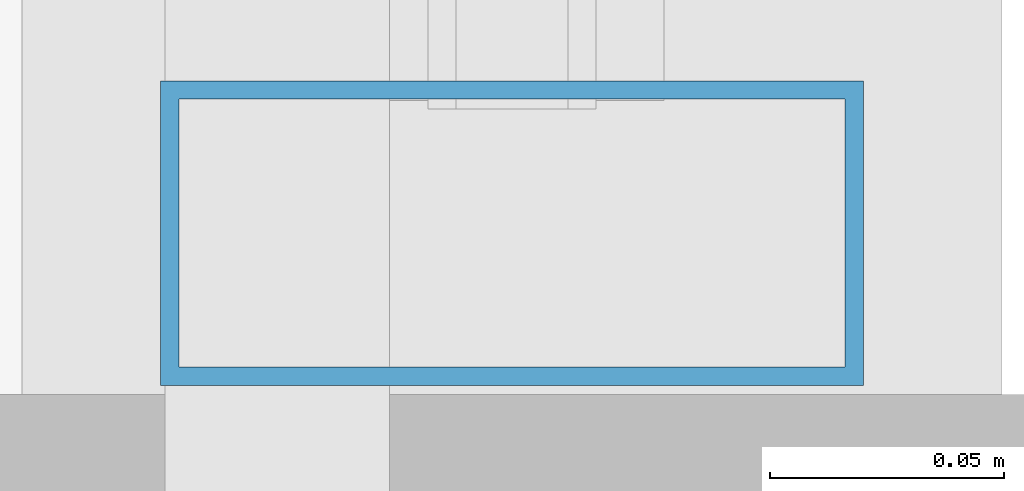
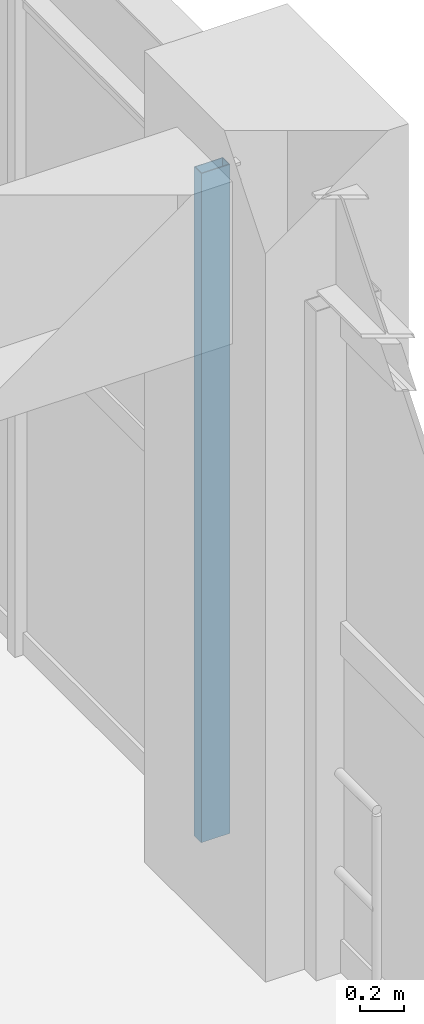
# One storey, part 23 of 80: 1 member, 1 element without a shape of its own.
"""IFC4 building model written with IfcOpenShell, lengths in metres."""

from ifc_helpers import new_model, si_unit, direction, frame, origin, origin_2d, place, context, subcontext, project, spatial, hollow_rectangle, extrude, material, layer, layer_set, material_profile, profile_set, type_object, element, aggregate, save


model = new_model("IFC4")

# Units and contexts
model_context = context("Model", 3, precision=1e-05, world=origin(), true_north=direction((0.0, 1.0)))
body_context = subcontext(model_context, "Body", "Model", "MODEL_VIEW")
ifc_project = project(units=[si_unit("LENGTHUNIT", "METRE"), si_unit("AREAUNIT", "SQUARE_METRE"), si_unit("VOLUMEUNIT", "CUBIC_METRE"), si_unit("PLANEANGLEUNIT", "RADIAN"), si_unit("MASSUNIT", "GRAM", prefix="KILO"), si_unit("POWERUNIT", "WATT"), si_unit("THERMODYNAMICTEMPERATUREUNIT", "KELVIN")], contexts=[model_context])

# Site, building, storey
site_placement = place(None, origin())
site = spatial("IfcSite", under=ifc_project, at=site_placement, CompositionType="ELEMENT")
building_placement = place(site_placement, origin())
building = spatial("IfcBuilding", under=site, at=building_placement, Name="Kelmbourne Parkland Aquatics Centre", CompositionType="ELEMENT")
storey_placement = place(building_placement, frame((0.0, 0.0, 10.199951171875)))
storey = spatial("IfcBuildingStorey", under=building, at=storey_placement, Name="L02", CompositionType="ELEMENT", Elevation=10.199951171875)

# Curtain wall, member
ifc_material = material(Name="Thermally broken anodised aluminium framing", Category="aluminium")
ifc_layer = layer(ifc_material, 0.179931640625)
ifc_layer_set = layer_set([ifc_layer], Name="Thermally broken anodised aluminium framing")
curtain_wall_type = type_object("IfcCurtainWallType", Name="CW-18", PredefinedType="NOTDEFINED", material=ifc_layer_set)
curtain_wall_placement = place(storey_placement, origin())
curtain_wall = element("IfcCurtainWall", 1, at=curtain_wall_placement, inside=storey, type_object=curtain_wall_type, Name="Facade curtain wall CW-L02-210", PredefinedType="NOTDEFINED")
ifc_material_profile = material_profile(ifc_material, hollow_rectangle(XDim=0.06494140625, YDim=0.14990234375, WallThickness=0.00390625, at=origin_2d()), Name="CW-M 65x150")
ifc_profile_set = profile_set([ifc_material_profile], Name="Thermally broken anodised aluminium framing")
member_type = type_object("IfcMemberType", Name="MB-MUL-1", PredefinedType="MULLION", material=ifc_profile_set)
member_placement = place(storey_placement, frame((128.0, 24.1845703125, 0.0), z_axis=(0.0, 0.0, 1.0), x_axis=(0.0, 1.0, 0.0)))
member = element("IfcMember", 2, at=member_placement, type_object=member_type, Name="CW-L02-210 mullion 0", PredefinedType="MULLION", context=body_context, shape_type="SweptSolid", body=[
    extrude(hollow_rectangle(XDim=0.06494140625, YDim=0.14990234375, WallThickness=0.00390625, at=origin_2d()), origin(), (0.0, 0.0, 1.0), 3.712158203125),
])
aggregate(curtain_wall, [member])

save(model, "model.ifc")
